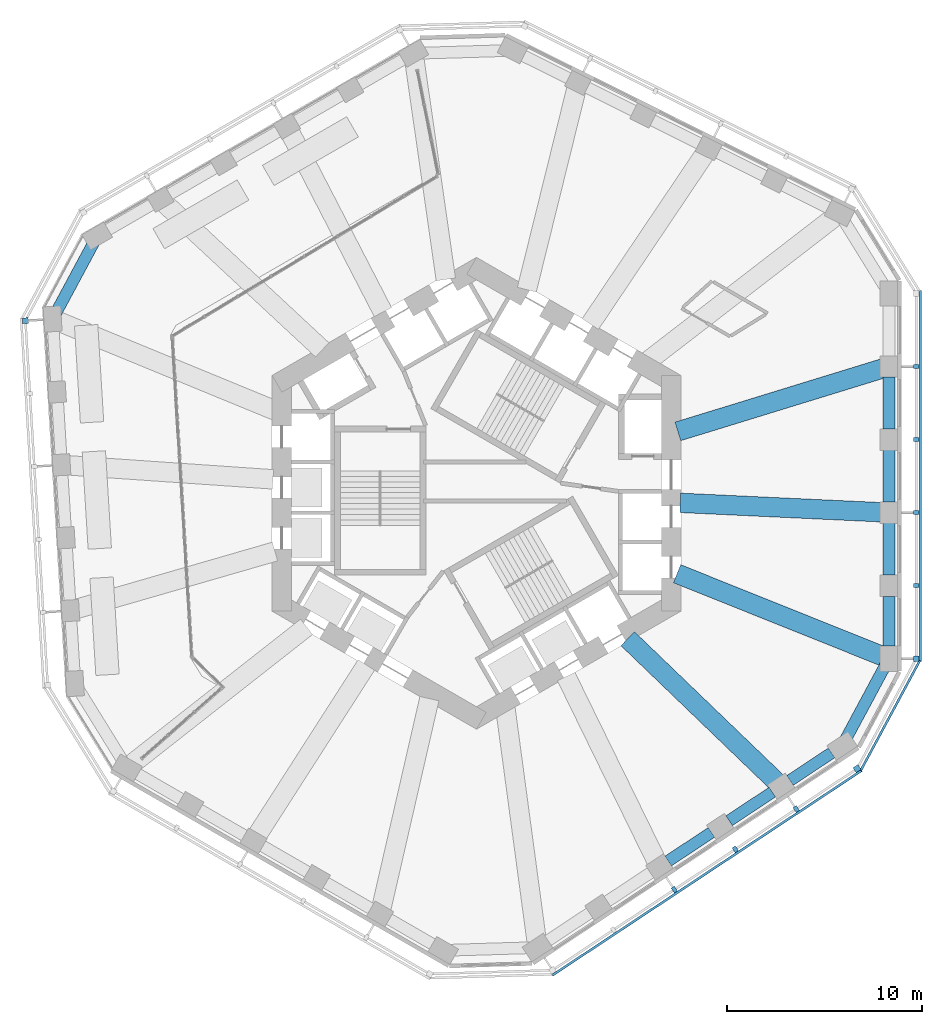
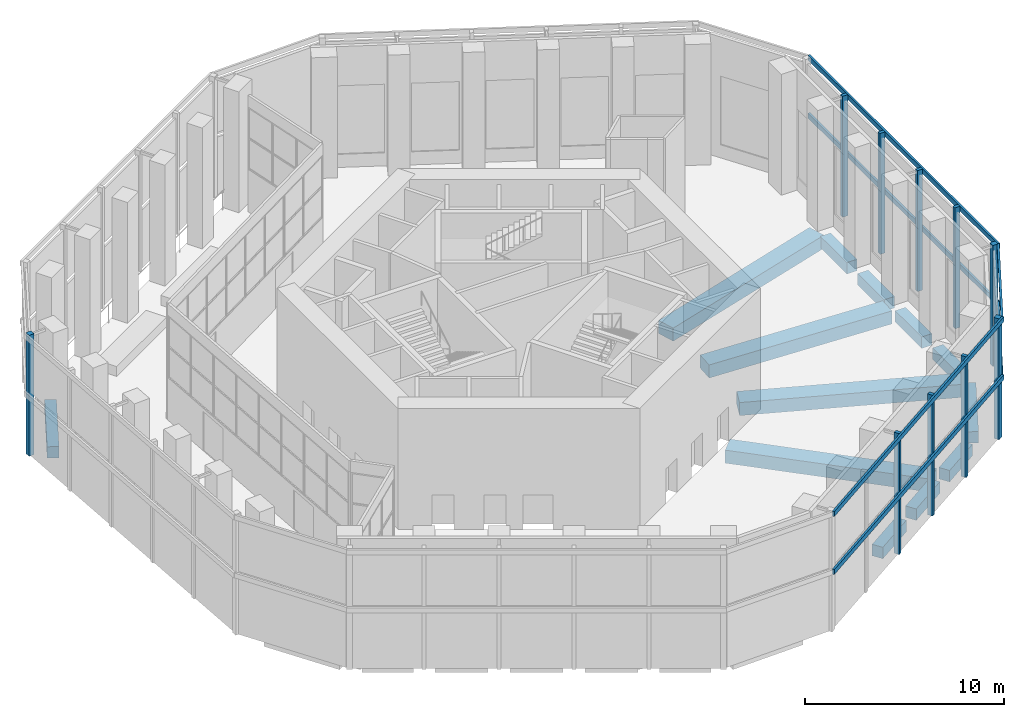
# One storey, part 5 of 19: 16 members, 13 beams, 4 elements without a shape of their own.
"""IFC4 building model written with IfcOpenShell, lengths in metres."""

from ifc_helpers import new_model, si_unit, direction, frame, origin, origin_2d, place, context, subcontext, project, spatial, rectangle, extrude, material, material_profile, profile_set, type_object, element, aggregate, save


model = new_model("IFC4")

# Units and contexts
model_context = context("Model", 3, precision=1e-05, world=origin(), true_north=direction((0.0, 1.0)))
body_context = subcontext(model_context, "Body", "Model", "MODEL_VIEW")
ifc_project = project(units=[si_unit("LENGTHUNIT", "METRE"), si_unit("AREAUNIT", "SQUARE_METRE"), si_unit("VOLUMEUNIT", "CUBIC_METRE"), si_unit("PLANEANGLEUNIT", "RADIAN"), si_unit("MASSUNIT", "GRAM", prefix="KILO")], contexts=[model_context])

# Site, building, storey
site_placement = place(None, origin())
site = spatial("IfcSite", under=ifc_project, at=site_placement, CompositionType="ELEMENT")
building_placement = place(site_placement, origin())
building = spatial("IfcBuilding", under=site, at=building_placement, Name="Vanh Sen Convention Tower", CompositionType="ELEMENT")
storey_placement = place(building_placement, frame((0.0, 0.0, 139.199951171875)))
storey = spatial("IfcBuildingStorey", under=building, at=storey_placement, Name="L34", CompositionType="ELEMENT", Elevation=139.199951171875)

# Curtain wall, member
ifc_material_1 = material(Name="Concrete C50/60", Category="concrete")
curtain_wall_type = type_object("IfcCurtainWallType", Name="Outer skin office zone", PredefinedType="NOTDEFINED", material=ifc_material_1)
curtain_wall_1_placement = place(storey_placement, origin())
curtain_wall_1 = element("IfcCurtainWall", 1, at=curtain_wall_1_placement, inside=storey, type_object=curtain_wall_type, Name="OUTER SKIN E L34", PredefinedType="NOTDEFINED")
ifc_material_profile_1 = material_profile(ifc_material_1, rectangle(XDim=0.300048828125, YDim=0.300048828125, at=origin_2d()), Name="Outer skin precast corner fin 300 x 300")
ifc_profile_set_1 = profile_set([ifc_material_profile_1], Name="Concrete C50/60")
member_type_1 = type_object("IfcMemberType", Name="Outer skin precast corner fin 300 x 300", PredefinedType="MULLION", material=ifc_profile_set_1)
member_1_placement = place(storey_placement, frame((22.60009765625, -8.5009765625, 0.0), z_axis=(0.0, 0.0, 1.0), x_axis=(0.0, 1.0, 0.0)))
member_1 = element("IfcMember", 2, at=member_1_placement, type_object=member_type_1, Name="OUTER SKIN CORNER FIN 1 E L34", PredefinedType="MULLION", context=body_context, shape_type="SweptSolid", body=[
    extrude(rectangle(XDim=0.300048828125, YDim=0.300048828125, at=origin_2d()), origin(), (0.0, 0.0, 1.0), 7.400146484375),
])

curtain_wall_2_placement = place(storey_placement, origin())
curtain_wall_2 = element("IfcCurtainWall", 3, at=curtain_wall_2_placement, inside=storey, type_object=curtain_wall_type, Name="OUTER SKIN W L34", PredefinedType="NOTDEFINED")
member_2_placement = place(storey_placement, frame((-23.184814453125, 8.87060546875, 0.0), z_axis=(0.0, 0.0, 1.0), x_axis=(0.061048539535, -0.998134798422, 0.0)))
member_2 = element("IfcMember", 4, at=member_2_placement, type_object=member_type_1, Name="OUTER SKIN CORNER FIN 1 W L34", PredefinedType="MULLION", context=body_context, shape_type="SweptSolid", body=[
    extrude(rectangle(XDim=0.300048828125, YDim=0.300048828125, at=origin_2d()), origin(), (0.0, 0.0, 1.0), 7.400146484375),
])
aggregate(curtain_wall_2, [member_2])

curtain_wall_3_placement = place(storey_placement, origin())
curtain_wall_3 = element("IfcCurtainWall", 5, at=curtain_wall_3_placement, inside=storey, type_object=curtain_wall_type, Name="OUTER SKIN SE L34", PredefinedType="NOTDEFINED")
member_3_placement = place(storey_placement, frame((19.5625, -14.15380859375, 0.0), z_axis=(0.0, 0.0, 1.0), x_axis=(0.833885822067, 0.551936985312, 0.0)))
member_3 = element("IfcMember", 6, at=member_3_placement, type_object=member_type_1, Name="OUTER SKIN CORNER FIN 6 SE L34", PredefinedType="MULLION", context=body_context, shape_type="SweptSolid", body=[
    extrude(rectangle(XDim=0.300048828125, YDim=0.300048828125, at=origin_2d()), origin(), (0.0, 0.0, 1.0), 7.400146484375),
])

# Member
ifc_material_profile_2 = material_profile(ifc_material_1, rectangle(XDim=0.199951171875, YDim=0.300048828125, at=origin_2d()), Name="Outer skin precast fin 200 x 300")
ifc_profile_set_2 = profile_set([ifc_material_profile_2], Name="Concrete C50/60")
member_type_2 = type_object("IfcMemberType", Name="Outer skin precast fin 200 x 300", PredefinedType="MULLION", material=ifc_profile_set_2)
member_4_placement = place(storey_placement, frame((22.60009765625, -4.746826171875, 0.0), z_axis=(0.0, 0.0, 1.0), x_axis=(0.0, 1.0, 0.0)))
member_4 = element("IfcMember", 7, at=member_4_placement, type_object=member_type_2, Name="OUTER SKIN fin 2 E L34", PredefinedType="MULLION", context=body_context, shape_type="SweptSolid", body=[
    extrude(rectangle(XDim=0.199951171875, YDim=0.300048828125, at=origin_2d()), origin(), (0.0, 0.0, 1.0), 7.400146484375),
])

member_5_placement = place(storey_placement, frame((22.60009765625, -0.992919921875, 0.0), z_axis=(0.0, 0.0, 1.0), x_axis=(0.0, 1.0, 0.0)))
member_5 = element("IfcMember", 8, at=member_5_placement, type_object=member_type_2, Name="OUTER SKIN fin 3 E L34", PredefinedType="MULLION", context=body_context, shape_type="SweptSolid", body=[
    extrude(rectangle(XDim=0.199951171875, YDim=0.300048828125, at=origin_2d()), origin(), (0.0, 0.0, 1.0), 7.400146484375),
])

member_6_placement = place(storey_placement, frame((22.60009765625, 2.76123046875, 0.0), z_axis=(0.0, 0.0, 1.0), x_axis=(0.0, 1.0, 0.0)))
member_6 = element("IfcMember", 9, at=member_6_placement, type_object=member_type_2, Name="OUTER SKIN fin 4 E L34", PredefinedType="MULLION", context=body_context, shape_type="SweptSolid", body=[
    extrude(rectangle(XDim=0.199951171875, YDim=0.300048828125, at=origin_2d()), origin(), (0.0, 0.0, 1.0), 7.400146484375),
])

member_7_placement = place(storey_placement, frame((22.60009765625, 6.515380859375, 0.0), z_axis=(0.0, 0.0, 1.0), x_axis=(0.0, 1.0, 0.0)))
member_7 = element("IfcMember", 10, at=member_7_placement, type_object=member_type_2, Name="OUTER SKIN fin 5 E L34", PredefinedType="MULLION", context=body_context, shape_type="SweptSolid", body=[
    extrude(rectangle(XDim=0.199951171875, YDim=0.300048828125, at=origin_2d()), origin(), (0.0, 0.0, 1.0), 7.400146484375),
])

member_8_placement = place(storey_placement, frame((10.171142578125, -20.369873046875, 0.0), z_axis=(0.0, 0.0, 1.0), x_axis=(0.833885822067, 0.551936985312, 0.0)))
member_8 = element("IfcMember", 11, at=member_8_placement, type_object=member_type_2, Name="OUTER SKIN fin 3 SE L34", PredefinedType="MULLION", context=body_context, shape_type="SweptSolid", body=[
    extrude(rectangle(XDim=0.199951171875, YDim=0.300048828125, at=origin_2d()), origin(), (0.0, 0.0, 1.0), 7.400146484375),
])

member_9_placement = place(storey_placement, frame((13.301513671875, -18.2978515625, 0.0), z_axis=(0.0, 0.0, 1.0), x_axis=(0.833885822067, 0.551936985312, 0.0)))
member_9 = element("IfcMember", 12, at=member_9_placement, type_object=member_type_2, Name="OUTER SKIN fin 4 SE L34", PredefinedType="MULLION", context=body_context, shape_type="SweptSolid", body=[
    extrude(rectangle(XDim=0.199951171875, YDim=0.300048828125, at=origin_2d()), origin(), (0.0, 0.0, 1.0), 7.400146484375),
])

member_10_placement = place(storey_placement, frame((16.43212890625, -16.225830078125, 0.0), z_axis=(0.0, 0.0, 1.0), x_axis=(0.833885822067, 0.551936985312, 0.0)))
member_10 = element("IfcMember", 13, at=member_10_placement, type_object=member_type_2, Name="OUTER SKIN fin 5 SE L34", PredefinedType="MULLION", context=body_context, shape_type="SweptSolid", body=[
    extrude(rectangle(XDim=0.199951171875, YDim=0.300048828125, at=origin_2d()), origin(), (0.0, 0.0, 1.0), 7.400146484375),
])

ifc_material_profile_3 = material_profile(ifc_material_1, rectangle(XDim=0.1201171875, YDim=0.300048828125, at=origin_2d()), Name="Outer skin precast spandrel band 300 x 120")
ifc_profile_set_3 = profile_set([ifc_material_profile_3], Name="Concrete C50/60")
member_type_3 = type_object("IfcMemberType", Name="Outer skin precast spandrel band 300 x 120", PredefinedType="USERDEFINED", material=ifc_profile_set_3)
member_11_placement = place(storey_placement, frame((22.81005859375, -8.65087890625, 7.25), z_axis=(0.0, 1.0, 0.0), x_axis=(-1.0, 0.0, 0.0)))
member_11 = element("IfcMember", 14, at=member_11_placement, type_object=member_type_3, Name="OUTER SKIN spandrel band E L34", ObjectType="TRANSOM", PredefinedType="USERDEFINED", context=body_context, shape_type="SweptSolid", body=[
    extrude(rectangle(XDim=0.1201171875, YDim=0.300048828125, at=origin_2d()), origin(), (0.0, 0.0, 1.0), 19.0703125),
])

member_12_placement = place(storey_placement, frame((22.81005859375, -8.65087890625, 3.699951171875), z_axis=(0.0, 1.0, 0.0), x_axis=(-1.0, 0.0, 0.0)))
member_12 = element("IfcMember", 15, at=member_12_placement, type_object=member_type_3, Name="OUTER SKIN spandrel band E L34 mid", ObjectType="TRANSOM", PredefinedType="USERDEFINED", context=body_context, shape_type="SweptSolid", body=[
    extrude(rectangle(XDim=0.1201171875, YDim=0.300048828125, at=origin_2d()), origin(), (0.0, 0.0, 1.0), 19.0703125),
])

aggregate(curtain_wall_1, [member_1, member_4, member_5, member_6, member_7, member_11, member_12])

member_13_placement = place(storey_placement, frame((3.90087890625, -24.771728515625, 7.25), z_axis=(0.833891134859, 0.551928958475, 0.0), x_axis=(-0.551928958475, 0.833891134859, 0.0)))
member_13 = element("IfcMember", 16, at=member_13_placement, type_object=member_type_3, Name="OUTER SKIN spandrel band SE L34", ObjectType="TRANSOM", PredefinedType="USERDEFINED", context=body_context, shape_type="SweptSolid", body=[
    extrude(rectangle(XDim=0.1201171875, YDim=0.300048828125, at=origin_2d()), origin(), (0.0, 0.0, 1.0), 19.070556640625),
])

member_14_placement = place(storey_placement, frame((3.90087890625, -24.771728515625, 3.699951171875), z_axis=(0.833891134859, 0.551928958475, 0.0), x_axis=(-0.551928958475, 0.833891134859, 0.0)))
member_14 = element("IfcMember", 17, at=member_14_placement, type_object=member_type_3, Name="OUTER SKIN spandrel band SE L34 mid", ObjectType="TRANSOM", PredefinedType="USERDEFINED", context=body_context, shape_type="SweptSolid", body=[
    extrude(rectangle(XDim=0.1201171875, YDim=0.300048828125, at=origin_2d()), origin(), (0.0, 0.0, 1.0), 19.070556640625),
])

aggregate(curtain_wall_3, [member_8, member_9, member_10, member_3, member_13, member_14])

# Curtain wall, members
curtain_wall_4_placement = place(storey_placement, origin())
curtain_wall_4 = element("IfcCurtainWall", 18, at=curtain_wall_4_placement, inside=storey, type_object=curtain_wall_type, Name="OUTER SKIN CH6 L34", PredefinedType="NOTDEFINED")
member_15_placement = place(storey_placement, frame((19.74755859375, -14.253173828125, 7.25), z_axis=(0.473316922434, 0.880892213008, 0.0), x_axis=(-0.880892213008, 0.473316922434, 0.0)))
member_15 = element("IfcMember", 19, at=member_15_placement, type_object=member_type_3, Name="OUTER SKIN spandrel band CH6 L34", ObjectType="TRANSOM", PredefinedType="USERDEFINED", context=body_context, shape_type="SweptSolid", body=[
    extrude(rectangle(XDim=0.1201171875, YDim=0.300048828125, at=origin_2d()), origin(), (0.0, 0.0, 1.0), 6.417236328125),
])
member_16_placement = place(storey_placement, frame((19.74755859375, -14.253173828125, 3.699951171875), z_axis=(0.473316922434, 0.880892213008, 0.0), x_axis=(-0.880892213008, 0.473316922434, 0.0)))
member_16 = element("IfcMember", 20, at=member_16_placement, type_object=member_type_3, Name="OUTER SKIN spandrel band CH6 L34 mid", ObjectType="TRANSOM", PredefinedType="USERDEFINED", context=body_context, shape_type="SweptSolid", body=[
    extrude(rectangle(XDim=0.1201171875, YDim=0.300048828125, at=origin_2d()), origin(), (0.0, 0.0, 1.0), 6.417236328125),
])
aggregate(curtain_wall_4, [member_15, member_16])

# Beams
ifc_material_2 = material(Name="Concrete C50/60", Category="concrete")
ifc_material_profile_4 = material_profile(ifc_material_2, rectangle(XDim=1.0, YDim=0.800048828125, at=origin_2d()), Name="RC 1000X800")
ifc_profile_set_4 = profile_set([ifc_material_profile_4], Name="Concrete C50/60")
beam_type_1 = type_object("IfcBeamType", Name="Radial floor beam 1000 x 800", PredefinedType="BEAM", material=ifc_profile_set_4)
beam_1_placement = place(storey_placement, frame((20.940673828125, -8.39697265625, -0.75), z_axis=(-0.928155894618, 0.372191664718, 0.0), x_axis=(-0.372191664718, -0.928155894618, 0.0)))
element("IfcBeam", 21, at=beam_1_placement, inside=storey, type_object=beam_type_1, Name="Radial beam 01 L34", PredefinedType="BEAM", context=body_context, shape_type="SweptSolid", body=[
    extrude(rectangle(XDim=1.0, YDim=0.800048828125, at=origin_2d()), origin(), (0.0, 0.0, 1.0), 11.454345703125),
])
beam_2_placement = place(storey_placement, frame((20.7783203125, -0.97314453125, -0.75), z_axis=(-0.998905248477, 0.046779317705, 0.0), x_axis=(-0.046779317705, -0.998905248477, 0.0)))
element("IfcBeam", 22, at=beam_2_placement, inside=storey, type_object=beam_type_1, Name="Radial beam 02 L34", PredefinedType="BEAM", context=body_context, shape_type="SweptSolid", body=[
    extrude(rectangle(XDim=1.0, YDim=0.800048828125, at=origin_2d()), origin(), (0.0, 0.0, 1.0), 10.31787109375),
])
beam_3_placement = place(storey_placement, frame((20.97021484375, 6.44482421875, -0.75), z_axis=(-0.955876339667, -0.293769336835, 0.0), x_axis=(0.293769336835, -0.955876339667, 0.0)))
element("IfcBeam", 23, at=beam_3_placement, inside=storey, type_object=beam_type_1, Name="Radial beam 03 L34", PredefinedType="BEAM", context=body_context, shape_type="SweptSolid", body=[
    extrude(rectangle(XDim=1.0, YDim=0.800048828125, at=origin_2d()), origin(), (0.0, 0.0, 1.0), 11.112060546875),
])
beam_4_placement = place(storey_placement, frame((15.458251953125, -14.864990234375, -0.75), z_axis=(-0.720797435076, 0.693145769365, 0.0), x_axis=(-0.693145769365, -0.720797435076, 0.0)))
element("IfcBeam", 24, at=beam_4_placement, inside=storey, type_object=beam_type_1, Name="Radial beam 18 L34", PredefinedType="BEAM", context=body_context, shape_type="SweptSolid", body=[
    extrude(rectangle(XDim=1.0, YDim=0.800048828125, at=origin_2d()), origin(), (0.0, 0.0, 1.0), 10.66552734375),
])
ifc_material_profile_5 = material_profile(ifc_material_2, rectangle(XDim=0.60009765625, YDim=0.699951171875, at=origin_2d()), Name="RC 600X700")
ifc_profile_set_5 = profile_set([ifc_material_profile_5], Name="Concrete C50/60")
beam_type_2 = type_object("IfcBeamType", Name="Spandrel beam 600 x 700", PredefinedType="SPANDREL", material=ifc_profile_set_5)
beam_5_placement = place(storey_placement, frame((21.199951171875, -7.85595703125, -0.699951171875), z_axis=(0.0, 1.0, 0.0), x_axis=(-1.0, 0.0, 0.0)))
element("IfcBeam", 25, at=beam_5_placement, inside=storey, type_object=beam_type_2, Name="Spandrel beam 01 L34", PredefinedType="SPANDREL", context=body_context, shape_type="SweptSolid", body=[
    extrude(rectangle(XDim=0.60009765625, YDim=0.699951171875, at=origin_2d()), origin(), (0.0, 0.0, 1.0), 2.56396484375),
])
for number, where, z_axis, x_axis, name in (
    (26, (21.199951171875, -4.201904296875, -0.699951171875), (0.0, 1.0, 0.0), (-1.0, 0.0, 0.0), "Spandrel beam 02 L34"),
    (27, (21.199951171875, -0.44775390625, -0.699951171875), (0.0, 1.0, 0.0), (-1.0, 0.0, 0.0), "Spandrel beam 03 L34"),
    (28, (21.199951171875, 3.306396484375, -0.699951171875), (0.0, 1.0, 0.0), (-1.0, 0.0, 0.0), "Spandrel beam 04 L34"),
):
    element("IfcBeam", number, at=place(storey_placement, frame(where, z_axis=z_axis, x_axis=x_axis)), inside=storey, type_object=beam_type_2, Name=name, PredefinedType="SPANDREL", context=body_context, shape_type="SweptSolid", body=[
        extrude(rectangle(XDim=0.60009765625, YDim=0.699951171875, at=origin_2d()), origin(), (0.0, 0.0, 1.0), 2.6640625),
    ])
beam_6_placement = place(storey_placement, frame((-19.66650390625, 12.9033203125, -0.699951171875), z_axis=(-0.473335525062, -0.880882217277, 0.0), x_axis=(0.880882217277, -0.473335525062, 0.0)))
element("IfcBeam", 29, at=beam_6_placement, inside=storey, type_object=beam_type_2, Name="Spandrel beam 18 L34", PredefinedType="SPANDREL", context=body_context, shape_type="SweptSolid", body=[
    extrude(rectangle(XDim=0.60009765625, YDim=0.699951171875, at=origin_2d()), origin(), (0.0, 0.0, 1.0), 4.115478515625),
])
beam_7_placement = place(storey_placement, frame((9.852783203125, -18.901611328125, -0.699951171875), z_axis=(0.8338925114, 0.551926878699, 0.0), x_axis=(-0.551926878699, 0.8338925114, 0.0)))
element("IfcBeam", 30, at=beam_7_placement, inside=storey, type_object=beam_type_2, Name="Spandrel beam 33 L34", PredefinedType="SPANDREL", context=body_context, shape_type="SweptSolid", body=[
    extrude(rectangle(XDim=0.60009765625, YDim=0.699951171875, at=origin_2d()), origin(), (0.0, 0.0, 1.0), 2.664306640625),
])
beam_8_placement = place(storey_placement, frame((12.9833984375, -16.82958984375, -0.699951171875), z_axis=(0.833864593577, 0.551969056722, 0.0), x_axis=(-0.551969056722, 0.833864593577, 0.0)))
element("IfcBeam", 31, at=beam_8_placement, inside=storey, type_object=beam_type_2, Name="Spandrel beam 34 L34", PredefinedType="SPANDREL", context=body_context, shape_type="SweptSolid", body=[
    extrude(rectangle(XDim=0.60009765625, YDim=0.699951171875, at=origin_2d()), origin(), (0.0, 0.0, 1.0), 2.6640625),
])
beam_9_placement = place(storey_placement, frame((16.114013671875, -14.757568359375, -0.699951171875), z_axis=(0.833847773334, 0.551994466372, 0.0), x_axis=(-0.551994466372, 0.833847773334, 0.0)))
element("IfcBeam", 32, at=beam_9_placement, inside=storey, type_object=beam_type_2, Name="Spandrel beam 35 L34", PredefinedType="SPANDREL", context=body_context, shape_type="SweptSolid", body=[
    extrude(rectangle(XDim=0.60009765625, YDim=0.699951171875, at=origin_2d()), origin(), (0.0, 0.0, 1.0), 2.56396484375),
])
beam_10_placement = place(storey_placement, frame((18.97314453125, -12.645263671875, -0.699951171875), z_axis=(0.473327389605, 0.880886588756, 0.0), x_axis=(-0.880886588756, 0.473327389605, 0.0)))
element("IfcBeam", 33, at=beam_10_placement, inside=storey, type_object=beam_type_2, Name="Spandrel beam 36 L34", PredefinedType="SPANDREL", context=body_context, shape_type="SweptSolid", body=[
    extrude(rectangle(XDim=0.60009765625, YDim=0.699951171875, at=origin_2d()), origin(), (0.0, 0.0, 1.0), 4.317138671875),
])

save(model, "model.ifc")
